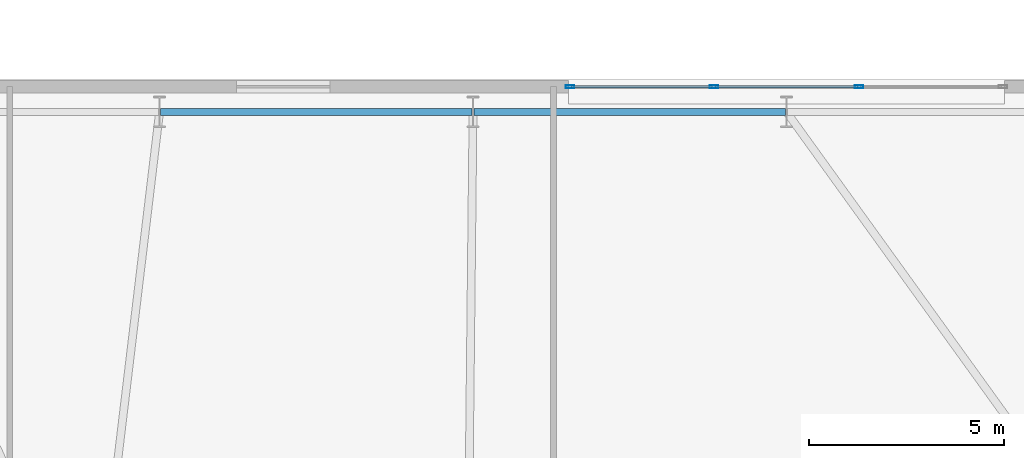
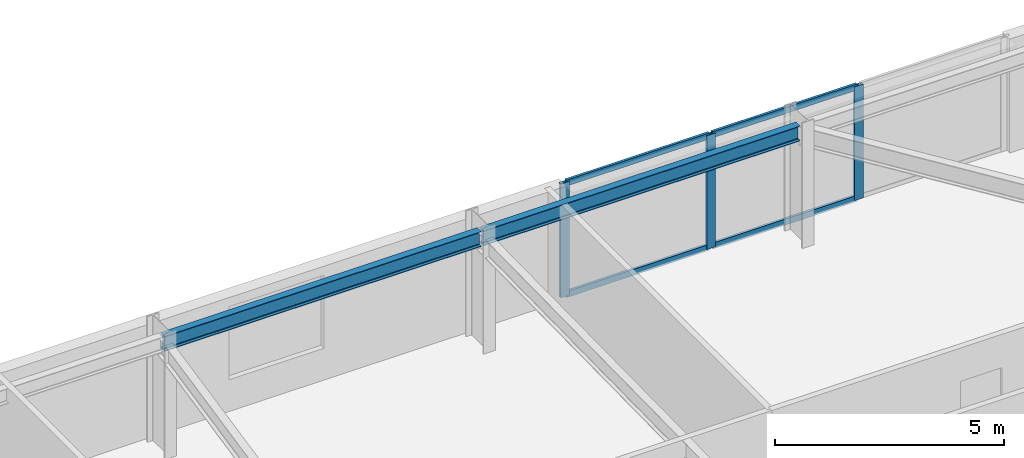
# One storey, part 8 of 18: 7 members, 2 beams, 1 element without a shape of its own.
"""IFC4 building model written with IfcOpenShell, lengths in metres."""

from ifc_helpers import new_model, si_unit, direction, frame, origin, origin_2d, place, context, subcontext, project, spatial, hollow_rectangle, i_section, extrude, material, layer, layer_set, material_profile, profile_set, type_object, element, aggregate, save


model = new_model("IFC4")

# Units and contexts
model_context = context("Model", 3, precision=1e-05, world=origin(), true_north=direction((0.0, 1.0)))
body_context = subcontext(model_context, "Body", "Model", "MODEL_VIEW")
ifc_project = project(units=[si_unit("LENGTHUNIT", "METRE"), si_unit("AREAUNIT", "SQUARE_METRE"), si_unit("VOLUMEUNIT", "CUBIC_METRE"), si_unit("PLANEANGLEUNIT", "RADIAN"), si_unit("MASSUNIT", "GRAM", prefix="KILO")], contexts=[model_context])

# Site, building, storey
site_placement = place(None, origin())
site = spatial("IfcSite", under=ifc_project, at=site_placement, CompositionType="ELEMENT")
building_placement = place(site_placement, origin())
building = spatial("IfcBuilding", under=site, at=building_placement, Name="Qobustan Lattice House", CompositionType="ELEMENT")
storey_placement = place(building_placement, frame((0.0, 0.0, 154.449951171875)))
storey = spatial("IfcBuildingStorey", under=building, at=storey_placement, Name="L43", CompositionType="ELEMENT", Elevation=154.449951171875)

# Beams
ifc_material_1 = material(Name="Steel S355", Category="steel")
ifc_material_profile_1 = material_profile(ifc_material_1, i_section(OverallWidth=0.179931640625, OverallDepth=0.39990234375, WebThickness=0.008544921875, FlangeThickness=0.013427734375, FilletRadius=0.02099609375, at=origin_2d()), Name="IPE400")
ifc_profile_set_1 = profile_set([ifc_material_profile_1], Name="Steel S355")
beam_type = type_object("IfcBeamType", Name="BM-SPD-IPE400", PredefinedType="SPANDREL", material=ifc_profile_set_1)
for number, where, z_axis, x_axis, name in (
    (1, (-1.02490234375, 19.75, 2.840087890625), (-1.0, 0.0, 0.0), (0.0, -1.0, 0.0), "L43 perimeter spandrel N4-N5"),
    (2, (-9.074951171875, 19.75, 2.840087890625), (-1.0, 0.0, 0.0), (0.0, -1.0, 0.0), "L43 perimeter spandrel N5-N6"),
):
    element("IfcBeam", number, at=place(storey_placement, frame(where, z_axis=z_axis, x_axis=x_axis)), inside=storey, type_object=beam_type, Name=name, PredefinedType="SPANDREL", context=body_context, shape_type="SweptSolid", body=[
        extrude(i_section(OverallWidth=0.179931640625, OverallDepth=0.39990234375, WebThickness=0.008544921875, FlangeThickness=0.013427734375, FilletRadius=0.02099609375, at=origin_2d()), origin(), (0.0, 0.0, 1.0), 8.0),
    ])

# Curtain wall, members
ifc_material_2 = material(Name="Anodised aluminium and low-E glazing", Category="aluminium")
ifc_layer = layer(ifc_material_2, 0.219970703125)
ifc_layer_set = layer_set([ifc_layer], Name="Anodised aluminium and low-E glazing")
curtain_wall_type = type_object("IfcCurtainWallType", Name="CW-IWN-01", PredefinedType="USERDEFINED", material=ifc_layer_set)
curtain_wall_placement = place(storey_placement, origin())
curtain_wall = element("IfcCurtainWall", 3, at=curtain_wall_placement, inside=storey, type_object=curtain_wall_type, Name="L43 IWAN-3 walnut-lined iwan curtain wall", ObjectType="CURTAIN WALL", PredefinedType="USERDEFINED")
ifc_material_3 = material(Name="Anodised aluminium EN AW-6063 T6", Category="aluminium")
ifc_material_profile_2 = material_profile(ifc_material_3, hollow_rectangle(XDim=0.080078125, YDim=0.219970703125, WallThickness=0.0048828125, at=origin_2d()), Name="CWM-220x80")
ifc_profile_set_2 = profile_set([ifc_material_profile_2], Name="Anodised aluminium EN AW-6063 T6")
member_type_1 = type_object("IfcMemberType", Name="CWM-MAIN-220", PredefinedType="MULLION", material=ifc_profile_set_2)
member_1_placement = place(storey_placement, frame((-6.56005859375, 20.39990234375, 0.0), z_axis=(0.0, 0.0, 1.0), x_axis=(0.0, 1.0, 0.0)))
member_1 = element("IfcMember", 4, at=member_1_placement, type_object=member_type_1, Name="CW-IW mullion 1", PredefinedType="MULLION", context=body_context, shape_type="SweptSolid", body=[
    extrude(hollow_rectangle(XDim=0.080078125, YDim=0.219970703125, WallThickness=0.0048828125, at=origin_2d()), origin(), (0.0, 0.0, 1.0), 3.0400390625),
])
member_2_placement = place(storey_placement, frame((-2.86669921875, 20.39990234375, 0.0), z_axis=(0.0, 0.0, 1.0), x_axis=(0.0, 1.0, 0.0)))
member_2 = element("IfcMember", 5, at=member_2_placement, type_object=member_type_1, Name="CW-IW mullion 2", PredefinedType="MULLION", context=body_context, shape_type="SweptSolid", body=[
    extrude(hollow_rectangle(XDim=0.080078125, YDim=0.219970703125, WallThickness=0.0048828125, at=origin_2d()), origin(), (0.0, 0.0, 1.0), 3.0400390625),
])
member_3_placement = place(storey_placement, frame((0.86669921875, 20.39990234375, 0.0), z_axis=(0.0, 0.0, 1.0), x_axis=(0.0, 1.0, 0.0)))
member_3 = element("IfcMember", 6, at=member_3_placement, type_object=member_type_1, Name="CW-IW mullion 3", PredefinedType="MULLION", context=body_context, shape_type="SweptSolid", body=[
    extrude(hollow_rectangle(XDim=0.080078125, YDim=0.219970703125, WallThickness=0.0048828125, at=origin_2d()), origin(), (0.0, 0.0, 1.0), 3.0400390625),
])
ifc_material_4 = material(Name="Anodised aluminium EN AW-6063 T6", Category="aluminium")
ifc_material_profile_3 = material_profile(ifc_material_4, hollow_rectangle(XDim=0.06494140625, YDim=0.159912109375, WallThickness=0.00390625, at=origin_2d()), Name="CWT-160x65")
ifc_profile_set_3 = profile_set([ifc_material_profile_3], Name="Anodised aluminium EN AW-6063 T6")
member_type_2 = type_object("IfcMemberType", Name="CWT-HOR-160", PredefinedType="USERDEFINED", material=ifc_profile_set_3)
member_4_placement = place(storey_placement, frame((-6.52001953125, 20.39990234375, 0.032470703125), z_axis=(1.0, 0.0, 0.0), x_axis=(0.0, 1.0, 0.0)))
member_4 = element("IfcMember", 7, at=member_4_placement, type_object=member_type_2, Name="CW-IW transom 1.1", ObjectType="TRANSOM", PredefinedType="USERDEFINED", context=body_context, shape_type="SweptSolid", body=[
    extrude(hollow_rectangle(XDim=0.06494140625, YDim=0.159912109375, WallThickness=0.00390625, at=origin_2d()), origin(), (0.0, 0.0, 1.0), 3.61328125),
])
member_5_placement = place(storey_placement, frame((-6.52001953125, 20.39990234375, 3.007568359375), z_axis=(1.0, 0.0, 0.0), x_axis=(0.0, 1.0, 0.0)))
member_5 = element("IfcMember", 8, at=member_5_placement, type_object=member_type_2, Name="CW-IW transom 1.2", ObjectType="TRANSOM", PredefinedType="USERDEFINED", context=body_context, shape_type="SweptSolid", body=[
    extrude(hollow_rectangle(XDim=0.06494140625, YDim=0.159912109375, WallThickness=0.00390625, at=origin_2d()), origin(), (0.0, 0.0, 1.0), 3.61328125),
])
member_6_placement = place(storey_placement, frame((-2.82666015625, 20.39990234375, 0.032470703125), z_axis=(1.0, 0.0, 0.0), x_axis=(0.0, 1.0, 0.0)))
member_6 = element("IfcMember", 9, at=member_6_placement, type_object=member_type_2, Name="CW-IW transom 2.1", ObjectType="TRANSOM", PredefinedType="USERDEFINED", context=body_context, shape_type="SweptSolid", body=[
    extrude(hollow_rectangle(XDim=0.06494140625, YDim=0.159912109375, WallThickness=0.00390625, at=origin_2d()), origin(), (0.0, 0.0, 1.0), 3.6533203125),
])
member_7_placement = place(storey_placement, frame((-2.82666015625, 20.39990234375, 3.007568359375), z_axis=(1.0, 0.0, 0.0), x_axis=(0.0, 1.0, 0.0)))
member_7 = element("IfcMember", 10, at=member_7_placement, type_object=member_type_2, Name="CW-IW transom 2.2", ObjectType="TRANSOM", PredefinedType="USERDEFINED", context=body_context, shape_type="SweptSolid", body=[
    extrude(hollow_rectangle(XDim=0.06494140625, YDim=0.159912109375, WallThickness=0.00390625, at=origin_2d()), origin(), (0.0, 0.0, 1.0), 3.6533203125),
])
aggregate(curtain_wall, [member_1, member_2, member_3, member_4, member_5, member_6, member_7])

save(model, "model.ifc")
